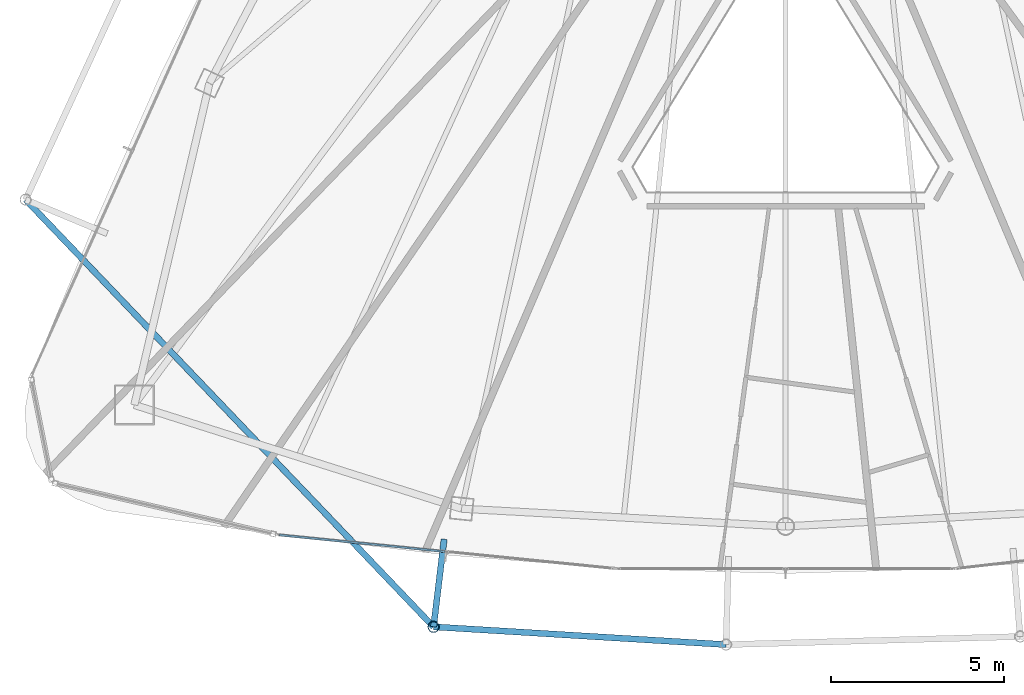
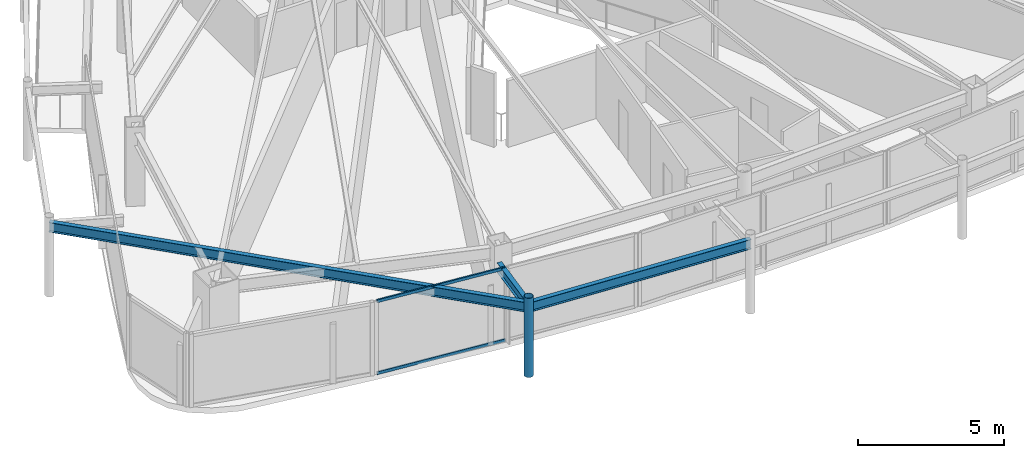
# One storey, part 3 of 28: 3 beams, 3 members, 1 element without a shape of its own.
"""IFC4 building model written with IfcOpenShell, lengths in metres."""

from ifc_helpers import new_model, si_unit, direction, frame, origin, origin_2d, place, context, subcontext, project, spatial, hollow_rectangle, hollow_circle, i_section, extrude, material, layer, layer_set, material_profile, profile_set, type_object, element, aggregate, save


model = new_model("IFC4")

# Units and contexts
model_context = context("Model", 3, precision=1e-05, world=origin(), true_north=direction((0.0, 1.0)))
body_context = subcontext(model_context, "Body", "Model", "MODEL_VIEW")
ifc_project = project(units=[si_unit("LENGTHUNIT", "METRE"), si_unit("AREAUNIT", "SQUARE_METRE"), si_unit("VOLUMEUNIT", "CUBIC_METRE"), si_unit("PLANEANGLEUNIT", "RADIAN"), si_unit("MASSUNIT", "GRAM", prefix="KILO")], contexts=[model_context])

# Site, building, storey
site_placement = place(None, origin())
site = spatial("IfcSite", under=ifc_project, at=site_placement, CompositionType="ELEMENT")
building_placement = place(site_placement, origin())
building = spatial("IfcBuilding", under=site, at=building_placement, Name="Orvanel Arch Residences", CompositionType="ELEMENT")
storey_placement = place(building_placement, frame((0.0, 0.0, 263.449951171875)))
storey = spatial("IfcBuildingStorey", under=building, at=storey_placement, Name="L75", CompositionType="ELEMENT", Elevation=263.449951171875)

# Beams
ifc_material_1 = material(Name="Structural steel AS/NZS 3679.1 Grade 300 (300 MPa)", Category="steel")
ifc_material_profile_1 = material_profile(ifc_material_1, i_section(OverallWidth=0.177978515625, OverallDepth=0.406005859375, WebThickness=0.0078125, FlangeThickness=0.0126953125, at=origin_2d()), Name="410UB59.7")
ifc_profile_set_1 = profile_set([ifc_material_profile_1], Name="Structural steel AS/NZS 3679.1 Grade 300 (300 MPa)")
beam_type = type_object("IfcBeamType", Name="OB-410UB-EXT", PredefinedType="SPANDREL", material=ifc_profile_set_1)
beam_1_placement = place(storey_placement, frame((11.05908203125, 16.277099609375, 2.85693359375), z_axis=(0.690641889192, -0.723196917093, 0.0), x_axis=(0.723196917093, 0.690641889192, 0.0)))
element("IfcBeam", 1, at=beam_1_placement, inside=storey, type_object=beam_type, Name="L75 Outer Perimeter Floor Ring Beam 04", PredefinedType="SPANDREL", context=body_context, shape_type="SweptSolid", body=[
    extrude(i_section(OverallWidth=0.177978515625, OverallDepth=0.406005859375, WebThickness=0.0078125, FlangeThickness=0.0126953125, at=origin_2d()), origin(), (0.0, 0.0, 1.0), 17.053466796875),
])
beam_2_placement = place(storey_placement, frame((23.14208984375, 6.47607421875, 2.85693359375), z_axis=(-0.119662357231, -0.992814645471, 0.0), x_axis=(0.992814645471, -0.119662357231, 0.0)))
element("IfcBeam", 2, at=beam_2_placement, inside=storey, type_object=beam_type, Name="L75 Outer Frame Radial Tie Beam 05", PredefinedType="SPANDREL", context=body_context, shape_type="SweptSolid", body=[
    extrude(i_section(OverallWidth=0.177978515625, OverallDepth=0.406005859375, WebThickness=0.0078125, FlangeThickness=0.0126953125, at=origin_2d()), origin(), (0.0, 0.0, 1.0), 2.55029296875),
])
beam_3_placement = place(storey_placement, frame((22.8369140625, 3.944091796875, 2.85693359375), z_axis=(0.998158343554, -0.06066235401, 0.0), x_axis=(0.06066235401, 0.998158343554, 0.0)))
element("IfcBeam", 3, at=beam_3_placement, inside=storey, type_object=beam_type, Name="L75 Outer Perimeter Floor Ring Beam 05", PredefinedType="SPANDREL", context=body_context, shape_type="SweptSolid", body=[
    extrude(i_section(OverallWidth=0.177978515625, OverallDepth=0.406005859375, WebThickness=0.0078125, FlangeThickness=0.0126953125, at=origin_2d()), origin(), (0.0, 0.0, 1.0), 8.459716796875),
])

# Member
ifc_material_2 = material(Name="Structural steel AS/NZS 1163 C350L0 (Grade 350)", Category="steel")
ifc_material_profile_2 = material_profile(ifc_material_2, hollow_circle(Radius=0.162109375, WallThickness=0.0126953125, at=origin_2d()), Name="CHS324x12.7")
ifc_profile_set_2 = profile_set([ifc_material_profile_2], Name="Structural steel AS/NZS 1163 C350L0 (Grade 350)")
member_type_1 = type_object("IfcMemberType", Name="ST-324CHS-EXT", PredefinedType="STRUT", material=ifc_profile_set_2)
member_1_placement = place(storey_placement, frame((22.8369140625, 3.944091796875, 0.0), z_axis=(0.0, 0.0, 1.0), x_axis=(1.0, 0.0, 0.0)))
element("IfcMember", 4, at=member_1_placement, inside=storey, type_object=member_type_1, Name="L75 Outer Perimeter Frame Post 05", PredefinedType="STRUT", context=body_context, shape_type="SweptSolid", body=[
    extrude(hollow_circle(Radius=0.162109375, WallThickness=0.0126953125, at=origin_2d()), origin(), (0.0, 0.0, 1.0), 3.300048828125),
])

# Curtain wall, members
ifc_material_3 = material(Name="Bronze-anodised aluminium AA6063-T6", Category="aluminium")
ifc_layer = layer(ifc_material_3, 0.175048828125)
ifc_layer_set = layer_set([ifc_layer], Name="Bronze-anodised aluminium AA6063-T6")
curtain_wall_type = type_object("IfcCurtainWallType", Name="CW4-HI-SYS", PredefinedType="NOTDEFINED", material=ifc_layer_set)
curtain_wall_placement = place(storey_placement, origin())
curtain_wall = element("IfcCurtainWall", 5, at=curtain_wall_placement, inside=storey, type_object=curtain_wall_type, Name="L75 CW4-HI-SYS Unitised Curtain Wall", PredefinedType="NOTDEFINED")
ifc_material_profile_3 = material_profile(ifc_material_3, hollow_rectangle(XDim=0.06005859375, YDim=0.1201171875, WallThickness=0.00341796875, at=origin_2d()), Name="ALU120x60x3.5")
ifc_profile_set_3 = profile_set([ifc_material_profile_3], Name="Bronze-anodised aluminium AA6063-T6")
member_type_2 = type_object("IfcMemberType", Name="TRN-120x60", PredefinedType="USERDEFINED", material=ifc_profile_set_3)
member_2_placement = place(storey_placement, frame((18.382568359375, 6.596435546875, 0.030029296875), z_axis=(0.9950089944, -0.099785274778, 0.0), x_axis=(0.099785274778, 0.9950089944, 0.0)))
member_2 = element("IfcMember", 6, at=member_2_placement, type_object=member_type_2, Name="CW-S4 transom 1.1", ObjectType="TRANSOM", PredefinedType="USERDEFINED", context=body_context, shape_type="SweptSolid", body=[
    extrude(hollow_rectangle(XDim=0.06005859375, YDim=0.1201171875, WallThickness=0.00341796875, at=origin_2d()), origin(), (0.0, 0.0, 1.0), 4.8076171875),
])
member_3_placement = place(storey_placement, frame((18.382568359375, 6.596435546875, 3.030029296875), z_axis=(0.9950089944, -0.099785274778, 0.0), x_axis=(0.099785274778, 0.9950089944, 0.0)))
member_3 = element("IfcMember", 7, at=member_3_placement, type_object=member_type_2, Name="CW-S4 transom 1.2", ObjectType="TRANSOM", PredefinedType="USERDEFINED", context=body_context, shape_type="SweptSolid", body=[
    extrude(hollow_rectangle(XDim=0.06005859375, YDim=0.1201171875, WallThickness=0.00341796875, at=origin_2d()), origin(), (0.0, 0.0, 1.0), 4.8076171875),
])
aggregate(curtain_wall, [member_2, member_3])

save(model, "model.ifc")
